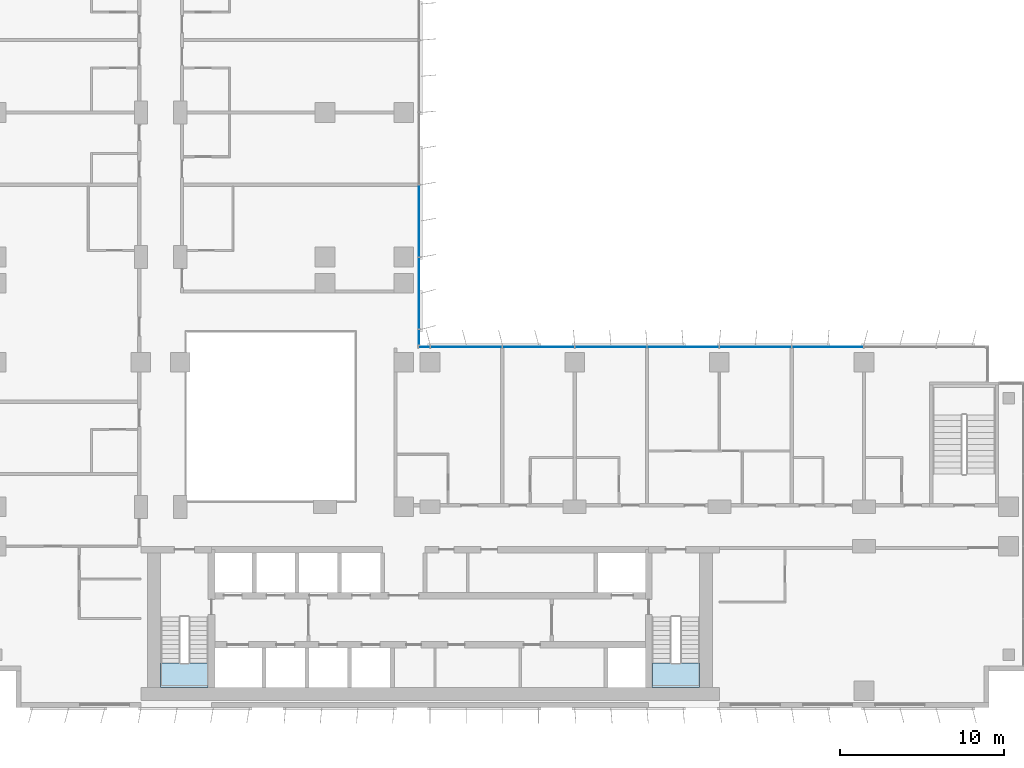
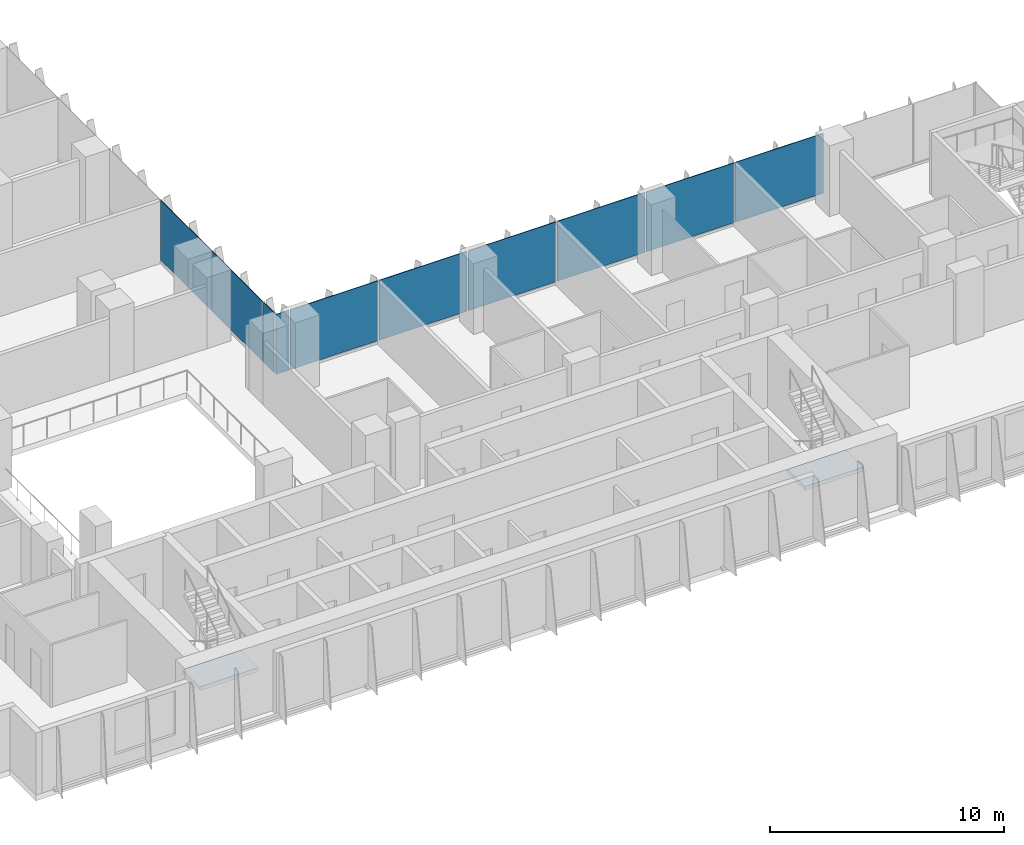
# One storey, part 10 of 22: 10 plates, 2 slabs, 4 elements without a shape of their own.
"""IFC4 building model written with IfcOpenShell, lengths in metres."""

from ifc_helpers import new_model, si_unit, direction, frame, origin, origin_2d, place, context, subcontext, project, spatial, polyline, rectangle, outline, extrude, source, transform, mapped, material, layer, layer_set, type_object, element, aggregate, save


model = new_model("IFC4")

# Units and contexts
model_context = context("Model", 3, precision=1e-05, world=origin(), true_north=direction((0.0, 1.0)))
body_context = subcontext(model_context, "Body", "Model", "MODEL_VIEW")
ifc_project = project(units=[si_unit("LENGTHUNIT", "METRE"), si_unit("AREAUNIT", "SQUARE_METRE"), si_unit("VOLUMEUNIT", "CUBIC_METRE"), si_unit("PLANEANGLEUNIT", "RADIAN"), si_unit("MASSUNIT", "GRAM", prefix="KILO")], contexts=[model_context])

# Site, building, storey
site_placement = place(None, origin())
site = spatial("IfcSite", under=ifc_project, at=site_placement, CompositionType="ELEMENT")
building_placement = place(site_placement, origin())
building = spatial("IfcBuilding", under=site, at=building_placement, Name="Kemantara Hotel Tower", CompositionType="ELEMENT")
storey_placement = place(building_placement, frame((0.0, 0.0, 129.60009765625)))
storey = spatial("IfcBuildingStorey", under=building, at=storey_placement, Name="L31", CompositionType="ELEMENT", Elevation=129.60009765625)

# Stair, slab
ifc_material_1 = material(Name="Concrete fc 40 MPa", Category="concrete")
stair_type = type_object("IfcStairType", Name="Stair 1200 wide 22 risers of 168 x 280 mm", PredefinedType="HALF_TURN_STAIR", material=ifc_material_1)
stair_1_placement = place(storey_placement, origin())
stair_1 = element("IfcStair", 1, at=stair_1_placement, inside=storey, type_object=stair_type, Name="L31 Exit stair ST1", PredefinedType="HALF_TURN_STAIR")
ifc_layer_1 = layer(ifc_material_1, 0.199951171875)
ifc_layer_set_1 = layer_set([ifc_layer_1], Name="Concrete fc 40 MPa")
slab_type = type_object("IfcSlabType", Name="Stair landing 200 mm", PredefinedType="LANDING", material=ifc_layer_set_1)
slab_1_placement = place(storey_placement, frame((0.0, 0.0, 1.64990234375)))
slab_1 = element("IfcSlab", 2, at=slab_1_placement, type_object=slab_type, Name="ST1 landing 1", PredefinedType="LANDING", context=body_context, shape_type="SweptSolid", body=[
    extrude(outline(polyline([(11.0, 2.699951171875), (11.0, 1.199951171875), (13.89990234375, 1.199951171875), (13.89990234375, 2.699951171875), (11.0, 2.699951171875)])), origin(), (0.0, 0.0, 1.0), 0.199951171875),
])
aggregate(stair_1, [slab_1])

stair_2_placement = place(storey_placement, origin())
stair_2 = element("IfcStair", 3, at=stair_2_placement, inside=storey, type_object=stair_type, Name="L31 Exit stair ST2", PredefinedType="HALF_TURN_STAIR")
slab_2_placement = place(storey_placement, frame((0.0, 0.0, 1.64990234375)))
slab_2 = element("IfcSlab", 4, at=slab_2_placement, type_object=slab_type, Name="ST2 landing 1", PredefinedType="LANDING", context=body_context, shape_type="SweptSolid", body=[
    extrude(outline(polyline([(40.89990234375, 2.699951171875), (40.89990234375, 1.199951171875), (43.800048828125, 1.199951171875), (43.800048828125, 2.699951171875), (40.89990234375, 2.699951171875)])), origin(), (0.0, 0.0, 1.0), 0.199951171875),
])
aggregate(stair_2, [slab_2])

# Curtain wall, plates
ifc_material_2 = material(Name="Low-E tinted double insulated glass 36 mm", Category="glass")
curtain_wall_type = type_object("IfcCurtainWallType", Name="TOWER CURTAIN WALL, FRONT FACES", PredefinedType="USERDEFINED", material=ifc_material_2)
curtain_wall_1_placement = place(storey_placement, origin())
curtain_wall_1 = element("IfcCurtainWall", 5, at=curtain_wall_1_placement, inside=storey, type_object=curtain_wall_type, Name="CW4 L31 T2-R13-1", ObjectType="TOWER CURTAIN WALL, FRONT FACES", PredefinedType="USERDEFINED")
ifc_layer_2 = layer(ifc_material_2, 0.035888671875)
ifc_layer_set_2 = layer_set([ifc_layer_2], Name="Low-E tinted double insulated glass 36 mm")
plate_type = type_object("IfcPlateType", Name="TOWER CURTAIN WALL, FRONT FACES PANEL", PredefinedType="CURTAIN_PANEL", material=ifc_layer_set_2)
shared_shape_1 = source(origin(), body_context, "Body", "SweptSolid", [
    extrude(rectangle(XDim=4.340087890625, YDim=0.035888671875, at=origin_2d()), origin(), (0.0, 0.0, 1.0), 3.1298828125),
])
plate_1_placement = place(storey_placement, frame((51.60009765625, 21.925048828125, 0.119873046875), z_axis=(0.0, 0.0, 1.0), x_axis=(-1.0, 0.0, 0.0)))
plate_1 = element("IfcPlate", 6, at=plate_1_placement, type_object=plate_type, Name="CW4 glass panel T2-R13-1.3", PredefinedType="CURTAIN_PANEL", context=body_context, shape_type="MappedRepresentation", body=[
    mapped(shared_shape_1, transform((0.0, 0.0, 0.0))),
])
plate_2_placement = place(storey_placement, frame((47.199951171875, 21.925048828125, 0.119873046875), z_axis=(0.0, 0.0, 1.0), x_axis=(-1.0, 0.0, 0.0)))
plate_2 = element("IfcPlate", 7, at=plate_2_placement, type_object=plate_type, Name="CW4 glass panel T2-R13-1.4", PredefinedType="CURTAIN_PANEL", context=body_context, shape_type="MappedRepresentation", body=[
    mapped(shared_shape_1, transform((0.0, 0.0, 0.0))),
])
plate_3_placement = place(storey_placement, frame((42.800048828125, 21.925048828125, 0.119873046875), z_axis=(0.0, 0.0, 1.0), x_axis=(-1.0, 0.0, 0.0)))
plate_3 = element("IfcPlate", 8, at=plate_3_placement, type_object=plate_type, Name="CW4 glass panel T2-R13-1.5", PredefinedType="CURTAIN_PANEL", context=body_context, shape_type="MappedRepresentation", body=[
    mapped(shared_shape_1, transform((0.0, 0.0, 0.0))),
])
plate_4_placement = place(storey_placement, frame((38.39990234375, 21.925048828125, 0.119873046875), z_axis=(0.0, 0.0, 1.0), x_axis=(-1.0, 0.0, 0.0)))
plate_4 = element("IfcPlate", 9, at=plate_4_placement, type_object=plate_type, Name="CW4 glass panel T2-R13-1.6", PredefinedType="CURTAIN_PANEL", context=body_context, shape_type="MappedRepresentation", body=[
    mapped(shared_shape_1, transform((0.0, 0.0, 0.0))),
])
plate_5_placement = place(storey_placement, frame((34.0, 21.925048828125, 0.119873046875), z_axis=(0.0, 0.0, 1.0), x_axis=(-1.0, 0.0, 0.0)))
plate_5 = element("IfcPlate", 10, at=plate_5_placement, type_object=plate_type, Name="CW4 glass panel T2-R13-1.7", PredefinedType="CURTAIN_PANEL", context=body_context, shape_type="MappedRepresentation", body=[
    mapped(shared_shape_1, transform((0.0, 0.0, 0.0))),
])
plate_6_placement = place(storey_placement, frame((29.60009765625, 21.925048828125, 0.119873046875), z_axis=(0.0, 0.0, 1.0), x_axis=(-1.0, 0.0, 0.0)))
plate_6 = element("IfcPlate", 11, at=plate_6_placement, type_object=plate_type, Name="CW4 glass panel T2-R13-1.8", PredefinedType="CURTAIN_PANEL", context=body_context, shape_type="MappedRepresentation", body=[
    mapped(shared_shape_1, transform((0.0, 0.0, 0.0))),
])

curtain_wall_2_placement = place(storey_placement, origin())
curtain_wall_2 = element("IfcCurtainWall", 12, at=curtain_wall_2_placement, inside=storey, type_object=curtain_wall_type, Name="CW4 L31 T2-R14-1", ObjectType="TOWER CURTAIN WALL, FRONT FACES", PredefinedType="USERDEFINED")
plate_7_placement = place(storey_placement, frame((26.72509765625, 25.199951171875, 0.119873046875), z_axis=(0.0, 0.0, 1.0), x_axis=(0.0, 1.0, 0.0)))
plate_7 = element("IfcPlate", 13, at=plate_7_placement, type_object=plate_type, Name="CW4 glass panel T2-R14-1.2", PredefinedType="CURTAIN_PANEL", context=body_context, shape_type="MappedRepresentation", body=[
    mapped(shared_shape_1, transform((0.0, 0.0, 0.0))),
])
plate_8_placement = place(storey_placement, frame((26.72509765625, 29.60009765625, 0.119873046875), z_axis=(0.0, 0.0, 1.0), x_axis=(0.0, 1.0, 0.0)))
plate_8 = element("IfcPlate", 14, at=plate_8_placement, type_object=plate_type, Name="CW4 glass panel T2-R14-1.3", PredefinedType="CURTAIN_PANEL", context=body_context, shape_type="MappedRepresentation", body=[
    mapped(shared_shape_1, transform((0.0, 0.0, 0.0))),
])

# Plate
shared_shape_2 = source(origin(), body_context, "Body", "SweptSolid", [
    extrude(rectangle(XDim=0.659912109375, YDim=0.035888671875, at=origin_2d()), origin(), (0.0, 0.0, 1.0), 3.1298828125),
])
plate_9_placement = place(storey_placement, frame((27.0400390625, 21.925048828125, 0.119873046875), z_axis=(0.0, 0.0, 1.0), x_axis=(-1.0, 0.0, 0.0)))
plate_9 = element("IfcPlate", 15, at=plate_9_placement, type_object=plate_type, Name="CW4 glass panel T2-R13-1.9", PredefinedType="CURTAIN_PANEL", context=body_context, shape_type="MappedRepresentation", body=[
    mapped(shared_shape_2, transform((0.0, 0.0, 0.0))),
])

aggregate(curtain_wall_1, [plate_1, plate_2, plate_3, plate_4, plate_5, plate_6, plate_9])

shared_shape_3 = source(origin(), body_context, "Body", "SweptSolid", [
    extrude(rectangle(XDim=0.909912109375, YDim=0.035888671875, at=origin_2d()), origin(), (0.0, 0.0, 1.0), 3.1298828125),
])
plate_10_placement = place(storey_placement, frame((26.72509765625, 22.514892578125, 0.119873046875), z_axis=(0.0, 0.0, 1.0), x_axis=(0.0, 1.0, 0.0)))
plate_10 = element("IfcPlate", 16, at=plate_10_placement, type_object=plate_type, Name="CW4 glass panel T2-R14-1.1", PredefinedType="CURTAIN_PANEL", context=body_context, shape_type="MappedRepresentation", body=[
    mapped(shared_shape_3, transform((0.0, 0.0, 0.0))),
])

aggregate(curtain_wall_2, [plate_10, plate_7, plate_8])

save(model, "model.ifc")
